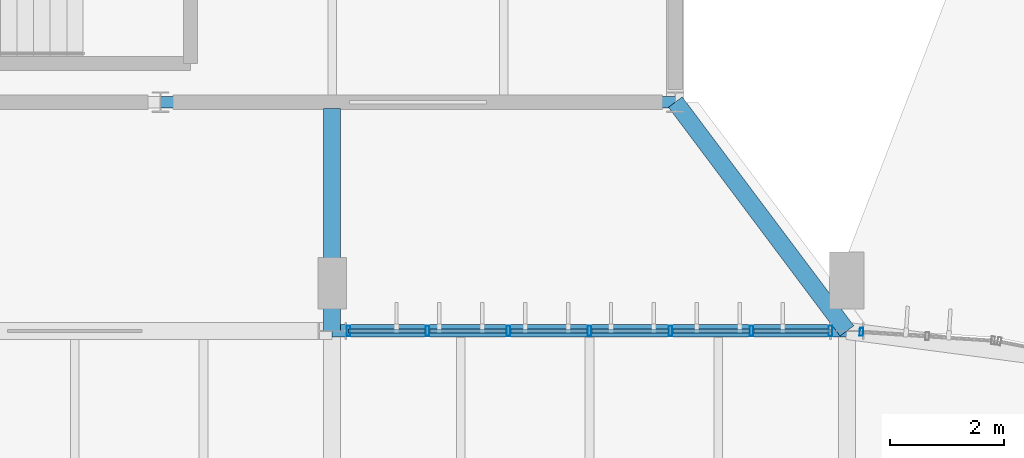
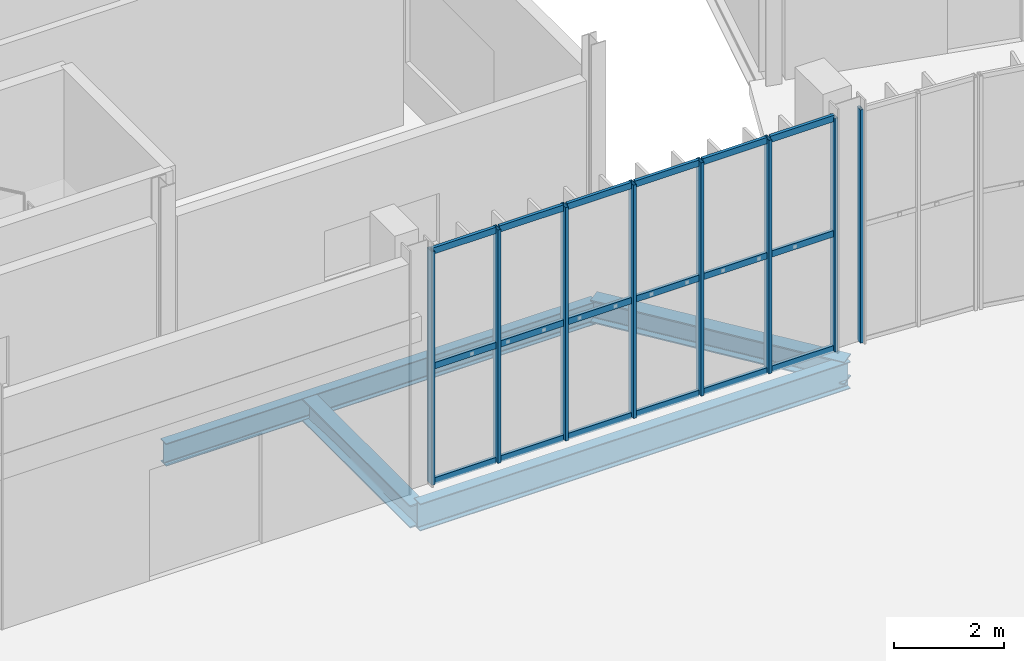
# One storey, part 68 of 158: 26 members, 4 beams, 2 elements without a shape of their own.
"""IFC4 building model written with IfcOpenShell, lengths in metres."""

from ifc_helpers import new_model, si_unit, derived_unit, direction, frame, origin, origin_2d, place, context, subcontext, project, spatial, hollow_rectangle, i_section, extrude, material, material_profile, profile_set, type_object, element, aggregate, save


model = new_model("IFC4")

# Units and contexts
model_context = context("Model", 3, precision=1e-05, world=origin(), true_north=direction((0.0, 1.0)))
body_context = subcontext(model_context, "Body", "Model", "MODEL_VIEW")
ifc_project = project(units=[si_unit("LENGTHUNIT", "METRE"), si_unit("AREAUNIT", "SQUARE_METRE"), si_unit("VOLUMEUNIT", "CUBIC_METRE"), si_unit("PLANEANGLEUNIT", "RADIAN"), si_unit("MASSUNIT", "GRAM", prefix="KILO"), si_unit("THERMODYNAMICTEMPERATUREUNIT", "KELVIN"), si_unit("TIMEUNIT", "SECOND"), derived_unit("THERMALTRANSMITTANCEUNIT", [(si_unit("MASSUNIT", "GRAM", prefix="KILO"), 1), (si_unit("THERMODYNAMICTEMPERATUREUNIT", "KELVIN"), -1), (si_unit("TIMEUNIT", "SECOND"), -3)])], contexts=[model_context])

# Site, building, storey
site_placement = place(None, origin())
site = spatial("IfcSite", under=ifc_project, at=site_placement, CompositionType="ELEMENT")
building_placement = place(site_placement, origin())
building = spatial("IfcBuilding", under=site, at=building_placement, Name="Cambertide Market Hall", CompositionType="ELEMENT")
storey_placement = place(building_placement, origin())
storey = spatial("IfcBuildingStorey", under=building, at=storey_placement, Name="L01", CompositionType="ELEMENT", Elevation=0.0)

# Curtain wall, member
ifc_material_1 = material(Name="Marine Anodized Aluminium 6063-T6 AA25", Category="aluminium")
curtain_wall_type_1 = type_object("IfcCurtainWallType", Name="Lantern Apse Chord Lower Curtain Wall", PredefinedType="USERDEFINED", material=ifc_material_1)
curtain_wall_1_placement = place(storey_placement, origin())
curtain_wall_1 = element("IfcCurtainWall", 1, at=curtain_wall_1_placement, inside=storey, type_object=curtain_wall_type_1, Name="Level 1 Curtain Wall CW-V1AE-L01-24", ObjectType="UNITIZED CURTAIN WALL", PredefinedType="USERDEFINED")
ifc_material_2 = material(Name="Champagne Marine Anodized Aluminium 6063-T6 AA25", Category="aluminium")
ifc_material_profile_1 = material_profile(ifc_material_2, hollow_rectangle(XDim=0.06005859375, YDim=0.139892578125, WallThickness=0.00341796875, at=origin_2d()), Name="ALU MULLION 60x140")
ifc_profile_set_1 = profile_set([ifc_material_profile_1], Name="Champagne Marine Anodized Aluminium 6063-T6 AA25")
member_type_1 = type_object("IfcMemberType", Name="Curtain Wall Mullion ALU MULLION 60x140", PredefinedType="MULLION", material=ifc_profile_set_1)
member_1_placement = place(storey_placement, frame((105.25439453125, 91.9833984375, 0.0), z_axis=(0.0, 0.0, 1.0), x_axis=(0.997858917819, -0.065403211921, 0.0)))
member_1 = element("IfcMember", 2, at=member_1_placement, type_object=member_type_1, Name="CW-V1AE-L01-24 Mullion 1", PredefinedType="MULLION", context=body_context, shape_type="SweptSolid", body=[
    extrude(hollow_rectangle(XDim=0.06005859375, YDim=0.139892578125, WallThickness=0.00341796875, at=origin_2d()), origin(), (0.0, 0.0, 1.0), 5.159912109375),
])
aggregate(curtain_wall_1, [member_1])

# Curtain wall, members
ifc_material_3 = material(Name="Marine Anodized Aluminium 6063-T6 AA25", Category="aluminium")
curtain_wall_type_2 = type_object("IfcCurtainWallType", Name="Lantern Straight Lower Curtain Wall", PredefinedType="USERDEFINED", material=ifc_material_3)
curtain_wall_2_placement = place(storey_placement, origin())
curtain_wall_2 = element("IfcCurtainWall", 3, at=curtain_wall_2_placement, inside=storey, type_object=curtain_wall_type_2, Name="Level 1 Curtain Wall CW-V1N-L01-7", ObjectType="UNITIZED CURTAIN WALL", PredefinedType="USERDEFINED")
ifc_material_4 = material(Name="Champagne Marine Anodized Aluminium 6063-T6 AA25", Category="aluminium")
ifc_material_profile_2 = material_profile(ifc_material_4, hollow_rectangle(XDim=0.06494140625, YDim=0.179931640625, WallThickness=0.00390625, at=origin_2d()), Name="ALU MULLION 65x180")
ifc_profile_set_2 = profile_set([ifc_material_profile_2], Name="Champagne Marine Anodized Aluminium 6063-T6 AA25")
member_type_2 = type_object("IfcMemberType", Name="Curtain Wall Mullion ALU MULLION 65x180", PredefinedType="MULLION", material=ifc_profile_set_2)
member_2_placement = place(storey_placement, frame((96.284912109375, 92.0, 0.0), z_axis=(0.0, 0.0, 1.0), x_axis=(1.0, 0.0, 0.0)))
member_2 = element("IfcMember", 4, at=member_2_placement, type_object=member_type_2, Name="CW-V1N-L01-7 Mullion 1", PredefinedType="MULLION", context=body_context, shape_type="SweptSolid", body=[
    extrude(hollow_rectangle(XDim=0.06494140625, YDim=0.179931640625, WallThickness=0.00390625, at=origin_2d()), origin(), (0.0, 0.0, 1.0), 5.159912109375),
])
member_3_placement = place(storey_placement, frame((97.666748046875, 92.0, 0.0), z_axis=(0.0, 0.0, 1.0), x_axis=(1.0, 0.0, 0.0)))
member_3 = element("IfcMember", 5, at=member_3_placement, type_object=member_type_2, Name="CW-V1N-L01-7 Mullion 2", PredefinedType="MULLION", context=body_context, shape_type="SweptSolid", body=[
    extrude(hollow_rectangle(XDim=0.06494140625, YDim=0.179931640625, WallThickness=0.00390625, at=origin_2d()), origin(), (0.0, 0.0, 1.0), 5.159912109375),
])
member_4_placement = place(storey_placement, frame((99.083251953125, 92.0, 0.0), z_axis=(0.0, 0.0, 1.0), x_axis=(1.0, 0.0, 0.0)))
member_4 = element("IfcMember", 6, at=member_4_placement, type_object=member_type_2, Name="CW-V1N-L01-7 Mullion 3", PredefinedType="MULLION", context=body_context, shape_type="SweptSolid", body=[
    extrude(hollow_rectangle(XDim=0.06494140625, YDim=0.179931640625, WallThickness=0.00390625, at=origin_2d()), origin(), (0.0, 0.0, 1.0), 5.159912109375),
])
member_5_placement = place(storey_placement, frame((100.5, 92.0, 0.0), z_axis=(0.0, 0.0, 1.0), x_axis=(1.0, 0.0, 0.0)))
member_5 = element("IfcMember", 7, at=member_5_placement, type_object=member_type_2, Name="CW-V1N-L01-7 Mullion 4", PredefinedType="MULLION", context=body_context, shape_type="SweptSolid", body=[
    extrude(hollow_rectangle(XDim=0.06494140625, YDim=0.179931640625, WallThickness=0.00390625, at=origin_2d()), origin(), (0.0, 0.0, 1.0), 5.159912109375),
])
member_6_placement = place(storey_placement, frame((101.916748046875, 92.0, 0.0), z_axis=(0.0, 0.0, 1.0), x_axis=(1.0, 0.0, 0.0)))
member_6 = element("IfcMember", 8, at=member_6_placement, type_object=member_type_2, Name="CW-V1N-L01-7 Mullion 5", PredefinedType="MULLION", context=body_context, shape_type="SweptSolid", body=[
    extrude(hollow_rectangle(XDim=0.06494140625, YDim=0.179931640625, WallThickness=0.00390625, at=origin_2d()), origin(), (0.0, 0.0, 1.0), 5.159912109375),
])
member_7_placement = place(storey_placement, frame((103.333251953125, 92.0, 0.0), z_axis=(0.0, 0.0, 1.0), x_axis=(1.0, 0.0, 0.0)))
member_7 = element("IfcMember", 9, at=member_7_placement, type_object=member_type_2, Name="CW-V1N-L01-7 Mullion 6", PredefinedType="MULLION", context=body_context, shape_type="SweptSolid", body=[
    extrude(hollow_rectangle(XDim=0.06494140625, YDim=0.179931640625, WallThickness=0.00390625, at=origin_2d()), origin(), (0.0, 0.0, 1.0), 5.159912109375),
])
member_8_placement = place(storey_placement, frame((104.715087890625, 92.0, 0.0), z_axis=(0.0, 0.0, 1.0), x_axis=(1.0, 0.0, 0.0)))
member_8 = element("IfcMember", 10, at=member_8_placement, type_object=member_type_2, Name="CW-V1N-L01-7 Mullion 7", PredefinedType="MULLION", context=body_context, shape_type="SweptSolid", body=[
    extrude(hollow_rectangle(XDim=0.06494140625, YDim=0.179931640625, WallThickness=0.00390625, at=origin_2d()), origin(), (0.0, 0.0, 1.0), 5.159912109375),
])
ifc_material_5 = material(Name="Champagne Marine Anodized Aluminium 6063-T6 AA25", Category="aluminium")
ifc_material_profile_3 = material_profile(ifc_material_5, hollow_rectangle(XDim=0.06494140625, YDim=0.139892578125, WallThickness=0.00341796875, at=origin_2d()), Name="ALU TRANSOM 65x140")
ifc_profile_set_3 = profile_set([ifc_material_profile_3], Name="Champagne Marine Anodized Aluminium 6063-T6 AA25")
member_type_3 = type_object("IfcMemberType", Name="Curtain Wall Transom ALU TRANSOM 65x140", PredefinedType="USERDEFINED", material=ifc_profile_set_3)
member_9_placement = place(storey_placement, frame((96.2900390625, 92.0, 0.034912109375), z_axis=(1.0, 0.0, 0.0), x_axis=(0.0, 1.0, 0.0)))
member_9 = element("IfcMember", 11, at=member_9_placement, type_object=member_type_3, Name="CW-V1N-L01-7 Transom 1-1", ObjectType="TRANSOM", PredefinedType="USERDEFINED", context=body_context, shape_type="SweptSolid", body=[
    extrude(hollow_rectangle(XDim=0.06494140625, YDim=0.139892578125, WallThickness=0.00341796875, at=origin_2d()), origin(), (0.0, 0.0, 1.0), 1.336669921875),
])
member_10_placement = place(storey_placement, frame((97.706787109375, 92.0, 0.034912109375), z_axis=(1.0, 0.0, 0.0), x_axis=(0.0, 1.0, 0.0)))
member_10 = element("IfcMember", 12, at=member_10_placement, type_object=member_type_3, Name="CW-V1N-L01-7 Transom 1-2", ObjectType="TRANSOM", PredefinedType="USERDEFINED", context=body_context, shape_type="SweptSolid", body=[
    extrude(hollow_rectangle(XDim=0.06494140625, YDim=0.139892578125, WallThickness=0.00341796875, at=origin_2d()), origin(), (0.0, 0.0, 1.0), 1.33642578125),
])
member_11_placement = place(storey_placement, frame((99.123291015625, 92.0, 0.034912109375), z_axis=(1.0, 0.0, 0.0), x_axis=(0.0, 1.0, 0.0)))
member_11 = element("IfcMember", 13, at=member_11_placement, type_object=member_type_3, Name="CW-V1N-L01-7 Transom 1-3", ObjectType="TRANSOM", PredefinedType="USERDEFINED", context=body_context, shape_type="SweptSolid", body=[
    extrude(hollow_rectangle(XDim=0.06494140625, YDim=0.139892578125, WallThickness=0.00341796875, at=origin_2d()), origin(), (0.0, 0.0, 1.0), 1.336669921875),
])
member_12_placement = place(storey_placement, frame((100.5400390625, 92.0, 0.034912109375), z_axis=(1.0, 0.0, 0.0), x_axis=(0.0, 1.0, 0.0)))
member_12 = element("IfcMember", 14, at=member_12_placement, type_object=member_type_3, Name="CW-V1N-L01-7 Transom 1-4", ObjectType="TRANSOM", PredefinedType="USERDEFINED", context=body_context, shape_type="SweptSolid", body=[
    extrude(hollow_rectangle(XDim=0.06494140625, YDim=0.139892578125, WallThickness=0.00341796875, at=origin_2d()), origin(), (0.0, 0.0, 1.0), 1.336669921875),
])
member_13_placement = place(storey_placement, frame((101.956787109375, 92.0, 0.034912109375), z_axis=(1.0, 0.0, 0.0), x_axis=(0.0, 1.0, 0.0)))
member_13 = element("IfcMember", 15, at=member_13_placement, type_object=member_type_3, Name="CW-V1N-L01-7 Transom 1-5", ObjectType="TRANSOM", PredefinedType="USERDEFINED", context=body_context, shape_type="SweptSolid", body=[
    extrude(hollow_rectangle(XDim=0.06494140625, YDim=0.139892578125, WallThickness=0.00341796875, at=origin_2d()), origin(), (0.0, 0.0, 1.0), 1.33642578125),
])
member_14_placement = place(storey_placement, frame((103.373291015625, 92.0, 0.034912109375), z_axis=(1.0, 0.0, 0.0), x_axis=(0.0, 1.0, 0.0)))
member_14 = element("IfcMember", 16, at=member_14_placement, type_object=member_type_3, Name="CW-V1N-L01-7 Transom 1-6", ObjectType="TRANSOM", PredefinedType="USERDEFINED", context=body_context, shape_type="SweptSolid", body=[
    extrude(hollow_rectangle(XDim=0.06494140625, YDim=0.139892578125, WallThickness=0.00341796875, at=origin_2d()), origin(), (0.0, 0.0, 1.0), 1.336669921875),
])
member_15_placement = place(storey_placement, frame((96.2900390625, 92.0, 2.580078125), z_axis=(1.0, 0.0, 0.0), x_axis=(0.0, 1.0, 0.0)))
member_15 = element("IfcMember", 17, at=member_15_placement, type_object=member_type_3, Name="CW-V1N-L01-7 Transom 2-1", ObjectType="TRANSOM", PredefinedType="USERDEFINED", context=body_context, shape_type="SweptSolid", body=[
    extrude(hollow_rectangle(XDim=0.06494140625, YDim=0.139892578125, WallThickness=0.00341796875, at=origin_2d()), origin(), (0.0, 0.0, 1.0), 1.336669921875),
])
member_16_placement = place(storey_placement, frame((97.706787109375, 92.0, 2.580078125), z_axis=(1.0, 0.0, 0.0), x_axis=(0.0, 1.0, 0.0)))
member_16 = element("IfcMember", 18, at=member_16_placement, type_object=member_type_3, Name="CW-V1N-L01-7 Transom 2-2", ObjectType="TRANSOM", PredefinedType="USERDEFINED", context=body_context, shape_type="SweptSolid", body=[
    extrude(hollow_rectangle(XDim=0.06494140625, YDim=0.139892578125, WallThickness=0.00341796875, at=origin_2d()), origin(), (0.0, 0.0, 1.0), 1.33642578125),
])
member_17_placement = place(storey_placement, frame((99.123291015625, 92.0, 2.580078125), z_axis=(1.0, 0.0, 0.0), x_axis=(0.0, 1.0, 0.0)))
member_17 = element("IfcMember", 19, at=member_17_placement, type_object=member_type_3, Name="CW-V1N-L01-7 Transom 2-3", ObjectType="TRANSOM", PredefinedType="USERDEFINED", context=body_context, shape_type="SweptSolid", body=[
    extrude(hollow_rectangle(XDim=0.06494140625, YDim=0.139892578125, WallThickness=0.00341796875, at=origin_2d()), origin(), (0.0, 0.0, 1.0), 1.336669921875),
])
member_18_placement = place(storey_placement, frame((100.5400390625, 92.0, 2.580078125), z_axis=(1.0, 0.0, 0.0), x_axis=(0.0, 1.0, 0.0)))
member_18 = element("IfcMember", 20, at=member_18_placement, type_object=member_type_3, Name="CW-V1N-L01-7 Transom 2-4", ObjectType="TRANSOM", PredefinedType="USERDEFINED", context=body_context, shape_type="SweptSolid", body=[
    extrude(hollow_rectangle(XDim=0.06494140625, YDim=0.139892578125, WallThickness=0.00341796875, at=origin_2d()), origin(), (0.0, 0.0, 1.0), 1.336669921875),
])
member_19_placement = place(storey_placement, frame((101.956787109375, 92.0, 2.580078125), z_axis=(1.0, 0.0, 0.0), x_axis=(0.0, 1.0, 0.0)))
member_19 = element("IfcMember", 21, at=member_19_placement, type_object=member_type_3, Name="CW-V1N-L01-7 Transom 2-5", ObjectType="TRANSOM", PredefinedType="USERDEFINED", context=body_context, shape_type="SweptSolid", body=[
    extrude(hollow_rectangle(XDim=0.06494140625, YDim=0.139892578125, WallThickness=0.00341796875, at=origin_2d()), origin(), (0.0, 0.0, 1.0), 1.33642578125),
])
member_20_placement = place(storey_placement, frame((103.373291015625, 92.0, 2.580078125), z_axis=(1.0, 0.0, 0.0), x_axis=(0.0, 1.0, 0.0)))
member_20 = element("IfcMember", 22, at=member_20_placement, type_object=member_type_3, Name="CW-V1N-L01-7 Transom 2-6", ObjectType="TRANSOM", PredefinedType="USERDEFINED", context=body_context, shape_type="SweptSolid", body=[
    extrude(hollow_rectangle(XDim=0.06494140625, YDim=0.139892578125, WallThickness=0.00341796875, at=origin_2d()), origin(), (0.0, 0.0, 1.0), 1.336669921875),
])
member_21_placement = place(storey_placement, frame((96.2900390625, 92.0, 5.125), z_axis=(1.0, 0.0, 0.0), x_axis=(0.0, 1.0, 0.0)))
member_21 = element("IfcMember", 23, at=member_21_placement, type_object=member_type_3, Name="CW-V1N-L01-7 Transom 3-1", ObjectType="TRANSOM", PredefinedType="USERDEFINED", context=body_context, shape_type="SweptSolid", body=[
    extrude(hollow_rectangle(XDim=0.06494140625, YDim=0.139892578125, WallThickness=0.00341796875, at=origin_2d()), origin(), (0.0, 0.0, 1.0), 1.336669921875),
])
member_22_placement = place(storey_placement, frame((97.706787109375, 92.0, 5.125), z_axis=(1.0, 0.0, 0.0), x_axis=(0.0, 1.0, 0.0)))
member_22 = element("IfcMember", 24, at=member_22_placement, type_object=member_type_3, Name="CW-V1N-L01-7 Transom 3-2", ObjectType="TRANSOM", PredefinedType="USERDEFINED", context=body_context, shape_type="SweptSolid", body=[
    extrude(hollow_rectangle(XDim=0.06494140625, YDim=0.139892578125, WallThickness=0.00341796875, at=origin_2d()), origin(), (0.0, 0.0, 1.0), 1.33642578125),
])
member_23_placement = place(storey_placement, frame((99.123291015625, 92.0, 5.125), z_axis=(1.0, 0.0, 0.0), x_axis=(0.0, 1.0, 0.0)))
member_23 = element("IfcMember", 25, at=member_23_placement, type_object=member_type_3, Name="CW-V1N-L01-7 Transom 3-3", ObjectType="TRANSOM", PredefinedType="USERDEFINED", context=body_context, shape_type="SweptSolid", body=[
    extrude(hollow_rectangle(XDim=0.06494140625, YDim=0.139892578125, WallThickness=0.00341796875, at=origin_2d()), origin(), (0.0, 0.0, 1.0), 1.336669921875),
])
member_24_placement = place(storey_placement, frame((100.5400390625, 92.0, 5.125), z_axis=(1.0, 0.0, 0.0), x_axis=(0.0, 1.0, 0.0)))
member_24 = element("IfcMember", 26, at=member_24_placement, type_object=member_type_3, Name="CW-V1N-L01-7 Transom 3-4", ObjectType="TRANSOM", PredefinedType="USERDEFINED", context=body_context, shape_type="SweptSolid", body=[
    extrude(hollow_rectangle(XDim=0.06494140625, YDim=0.139892578125, WallThickness=0.00341796875, at=origin_2d()), origin(), (0.0, 0.0, 1.0), 1.336669921875),
])
member_25_placement = place(storey_placement, frame((101.956787109375, 92.0, 5.125), z_axis=(1.0, 0.0, 0.0), x_axis=(0.0, 1.0, 0.0)))
member_25 = element("IfcMember", 27, at=member_25_placement, type_object=member_type_3, Name="CW-V1N-L01-7 Transom 3-5", ObjectType="TRANSOM", PredefinedType="USERDEFINED", context=body_context, shape_type="SweptSolid", body=[
    extrude(hollow_rectangle(XDim=0.06494140625, YDim=0.139892578125, WallThickness=0.00341796875, at=origin_2d()), origin(), (0.0, 0.0, 1.0), 1.33642578125),
])
member_26_placement = place(storey_placement, frame((103.373291015625, 92.0, 5.125), z_axis=(1.0, 0.0, 0.0), x_axis=(0.0, 1.0, 0.0)))
member_26 = element("IfcMember", 28, at=member_26_placement, type_object=member_type_3, Name="CW-V1N-L01-7 Transom 3-6", ObjectType="TRANSOM", PredefinedType="USERDEFINED", context=body_context, shape_type="SweptSolid", body=[
    extrude(hollow_rectangle(XDim=0.06494140625, YDim=0.139892578125, WallThickness=0.00341796875, at=origin_2d()), origin(), (0.0, 0.0, 1.0), 1.336669921875),
])
aggregate(curtain_wall_2, [member_2, member_3, member_4, member_5, member_6, member_7, member_8, member_9, member_10, member_11, member_12, member_13, member_14, member_15, member_16, member_17, member_18, member_19, member_20, member_21, member_22, member_23, member_24, member_25, member_26])

# Beams
ifc_material_6 = material(Name="Steel S355", Category="steel")
ifc_material_profile_4 = material_profile(ifc_material_6, i_section(OverallWidth=0.300048828125, OverallDepth=0.5, WebThickness=0.014404296875, FlangeThickness=0.028076171875, FilletRadius=0.027099609375, at=origin_2d()), Name="HEB 500")
ifc_profile_set_4 = profile_set([ifc_material_profile_4], Name="Steel S355")
beam_type_1 = type_object("IfcBeamType", Name="Exterior Steel Girder HEB 500", PredefinedType="BEAM", material=ifc_profile_set_4)
beam_1_placement = place(storey_placement, frame((105.0, 92.0, -0.544921875), z_axis=(-0.6, 0.8, 0.0), x_axis=(-0.8, -0.6, 0.0)))
element("IfcBeam", 29, at=beam_1_placement, inside=storey, type_object=beam_type_1, Name="Level 1 Beam TIE-V1V2-5", PredefinedType="BEAM", context=body_context, shape_type="SweptSolid", body=[
    extrude(i_section(OverallWidth=0.300048828125, OverallDepth=0.5, WebThickness=0.014404296875, FlangeThickness=0.028076171875, FilletRadius=0.027099609375, at=origin_2d()), origin(), (0.0, 0.0, 1.0), 5.0),
])
ifc_material_7 = material(Name="Steel S355", Category="steel")
ifc_material_profile_5 = material_profile(ifc_material_7, i_section(OverallWidth=0.300048828125, OverallDepth=0.5, WebThickness=0.014404296875, FlangeThickness=0.028076171875, FilletRadius=0.027099609375, at=origin_2d()), Name="HEB 500")
ifc_profile_set_5 = profile_set([ifc_material_profile_5], Name="Steel S355")
beam_type_2 = type_object("IfcBeamType", Name="Steel Girder HEB 500", PredefinedType="BEAM", material=ifc_profile_set_5)
beam_2_placement = place(storey_placement, frame((96.0, 92.0, -0.610107421875), z_axis=(0.0, 1.0, 0.0), x_axis=(-1.0, 0.0, 0.0)))
element("IfcBeam", 30, at=beam_2_placement, inside=storey, type_object=beam_type_2, Name="Level 1 Beam TIE-V1V2-4", PredefinedType="BEAM", context=body_context, shape_type="SweptSolid", body=[
    extrude(i_section(OverallWidth=0.300048828125, OverallDepth=0.5, WebThickness=0.014404296875, FlangeThickness=0.028076171875, FilletRadius=0.027099609375, at=origin_2d()), origin(), (0.0, 0.0, 1.0), 3.89208984375),
])
ifc_material_8 = material(Name="Steel S355", Category="steel")
ifc_material_profile_6 = material_profile(ifc_material_8, i_section(OverallWidth=0.199951171875, OverallDepth=0.5, WebThickness=0.01025390625, FlangeThickness=0.01611328125, FilletRadius=0.02099609375, at=origin_2d()), Name="IPE 500")
ifc_profile_set_6 = profile_set([ifc_material_profile_6], Name="Steel S355")
beam_type_3 = type_object("IfcBeamType", Name="Steel Girder IPE 500", PredefinedType="BEAM", material=ifc_profile_set_6)
beam_3_placement = place(storey_placement, frame((93.0, 96.0, -0.610107421875), z_axis=(1.0, 0.0, 0.0), x_axis=(0.0, 1.0, 0.0)))
element("IfcBeam", 31, at=beam_3_placement, inside=storey, type_object=beam_type_3, Name="Level 1 Beam BM-V2X-L01-10-1", PredefinedType="BEAM", context=body_context, shape_type="SweptSolid", body=[
    extrude(i_section(OverallWidth=0.199951171875, OverallDepth=0.5, WebThickness=0.01025390625, FlangeThickness=0.01611328125, FilletRadius=0.02099609375, at=origin_2d()), origin(), (0.0, 0.0, 1.0), 9.0),
])
ifc_material_9 = material(Name="Steel S355", Category="steel")
ifc_material_profile_7 = material_profile(ifc_material_9, i_section(OverallWidth=0.219970703125, OverallDepth=0.60009765625, WebThickness=0.011962890625, FlangeThickness=0.01904296875, FilletRadius=0.02392578125, at=origin_2d()), Name="IPE 600")
ifc_profile_set_7 = profile_set([ifc_material_profile_7], Name="Steel S355")
beam_type_4 = type_object("IfcBeamType", Name="Steel Girder IPE 600", PredefinedType="BEAM", material=ifc_profile_set_7)
beam_4_placement = place(storey_placement, frame((96.0, 92.0, -0.610107421875), z_axis=(1.0, 0.0, 0.0), x_axis=(0.0, 1.0, 0.0)))
element("IfcBeam", 32, at=beam_4_placement, inside=storey, type_object=beam_type_4, Name="Level 1 Beam BM-V1N-L01-7", PredefinedType="BEAM", context=body_context, shape_type="SweptSolid", body=[
    extrude(i_section(OverallWidth=0.219970703125, OverallDepth=0.60009765625, WebThickness=0.011962890625, FlangeThickness=0.01904296875, FilletRadius=0.02392578125, at=origin_2d()), origin(), (0.0, 0.0, 1.0), 9.0),
])

save(model, "model.ifc")
